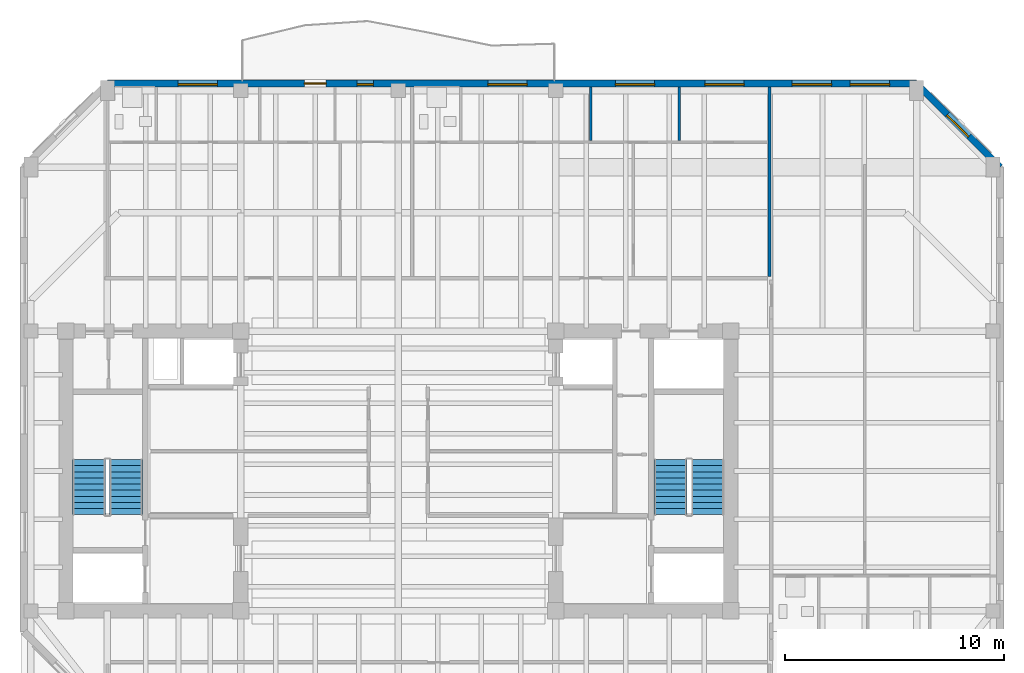
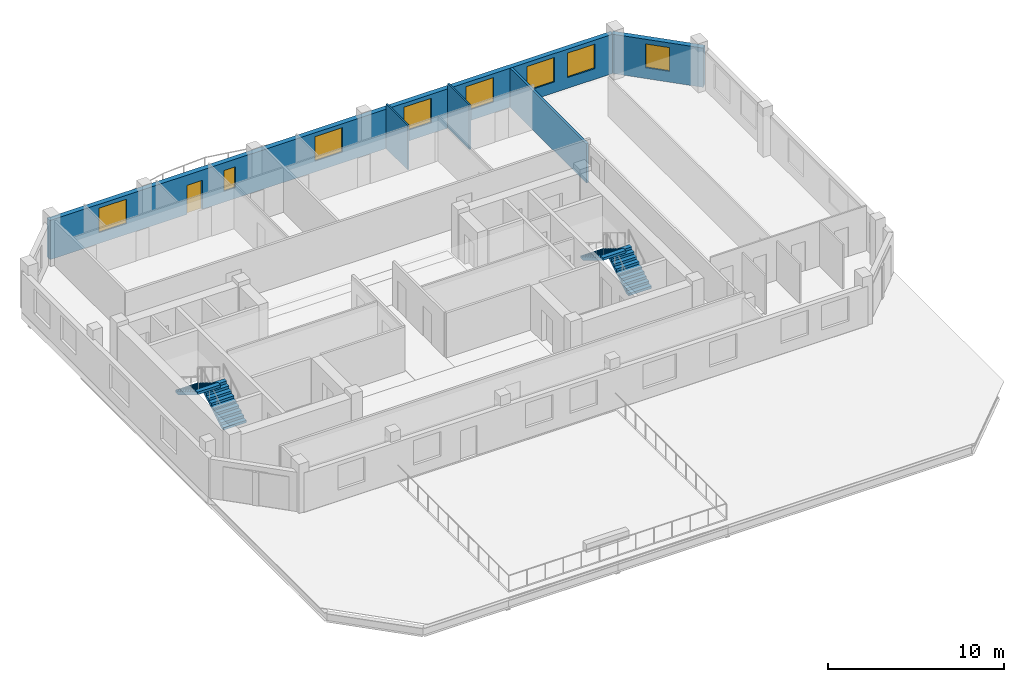
# One storey, part 6 of 10: 8 windows, 5 walls, 4 stair flights, 1 door, 9 openings, 2 elements without a shape of their own.
"""IFC4 building model written with IfcOpenShell, lengths in metres."""

from ifc_helpers import new_model, si_unit, direction, frame, frame_2d, origin, place, context, subcontext, project, spatial, polyline, rectangle, outline, extrude, material, layer, layer_set, type_object, element, fill, aggregate, save


model = new_model("IFC4")

# Units and contexts
model_context = context("Model", 3, precision=1e-05, world=origin(), true_north=direction((0.0, 1.0)))
body_context = subcontext(model_context, "Body", "Model", "MODEL_VIEW")
ifc_project = project(units=[si_unit("LENGTHUNIT", "METRE"), si_unit("AREAUNIT", "SQUARE_METRE"), si_unit("VOLUMEUNIT", "CUBIC_METRE"), si_unit("PLANEANGLEUNIT", "RADIAN"), si_unit("MASSUNIT", "GRAM", prefix="KILO")], contexts=[model_context])

# Site, building, storey
site_placement = place(None, origin())
site = spatial("IfcSite", under=ifc_project, at=site_placement, CompositionType="ELEMENT")
building_placement = place(site_placement, origin())
building = spatial("IfcBuilding", under=site, at=building_placement, Name="Kranthara Brick Stack", CompositionType="ELEMENT")
storey_placement = place(building_placement, frame((0.0, 0.0, 248.300048828125)))
storey = spatial("IfcBuildingStorey", under=building, at=storey_placement, Name="L65", CompositionType="ELEMENT", Elevation=248.300048828125)

# Wall, openings, door, windows
ifc_material_1 = material(Name="Warm buff clay brick masonry M15", Category="masonry")
ifc_layer_1 = layer(ifc_material_1, 0.320068359375)
ifc_layer_set_1 = layer_set([ifc_layer_1], Name="Warm buff clay brick masonry M15")
wall_type_1 = type_object("IfcWallType", Name="WL-BRK-UPPR-320", PredefinedType="STANDARD", material=ifc_layer_set_1)
wall_1_placement = place(storey_placement, frame((14.699951171875, 44.919921875, 0.0), z_axis=(0.0, 0.0, 1.0), x_axis=(1.0, 0.0, 0.0)))
wall_1 = element("IfcWall", 1, at=wall_1_placement, inside=storey, type_object=wall_type_1, Name="L65 Exterior Brick Facade Wall NORTH 1", PredefinedType="STANDARD", context=body_context, shape_type="SweptSolid", body=[
    extrude(rectangle(XDim=37.0, YDim=0.320068359375, at=frame_2d((18.5, 0.0))), origin(), (0.0, 0.0, 1.0), 2.724853515625),
])
opening_1_placement = place(wall_1_placement, frame((9.0, 0.0, 0.0)))
opening_1 = element("IfcOpeningElement", 2, at=opening_1_placement, cuts=wall_1, Name="Opening D03", PredefinedType="OPENING", context=body_context, shape_type="SweptSolid", body=[
    extrude(rectangle(XDim=1.0, YDim=2.02001953125, at=frame_2d((0.5, 1.010009765625))), frame((0.0, 0.169921875, 0.0), z_axis=(0.0, -1.0, 0.0), x_axis=(1.0, 0.0, 0.0)), (0.0, 0.0, 1.0), 0.340087890625),
])
opening_2_placement = place(wall_1_placement, frame((3.22802734375, 0.0, 0.75)))
opening_2 = element("IfcOpeningElement", 3, at=opening_2_placement, cuts=wall_1, Name="Opening WN07", PredefinedType="OPENING", context=body_context, shape_type="SweptSolid", body=[
    extrude(rectangle(XDim=1.800048828125, YDim=1.699951171875, at=frame_2d((0.89990234375, 0.85009765625))), frame((0.0, 0.169921875, 0.0), z_axis=(0.0, -1.0, 0.0), x_axis=(1.0, 0.0, 0.0)), (0.0, 0.0, 1.0), 0.340087890625),
])
opening_3_placement = place(wall_1_placement, frame((17.39208984375, 0.0, 0.75)))
opening_3 = element("IfcOpeningElement", 4, at=opening_3_placement, cuts=wall_1, Name="Opening WN07", PredefinedType="OPENING", context=body_context, shape_type="SweptSolid", body=[
    extrude(rectangle(XDim=1.800048828125, YDim=1.699951171875, at=frame_2d((0.89990234375, 0.85009765625))), frame((0.0, 0.169921875, 0.0), z_axis=(0.0, -1.0, 0.0), x_axis=(1.0, 0.0, 0.0)), (0.0, 0.0, 1.0), 0.340087890625),
])
opening_4_placement = place(wall_1_placement, frame((23.22802734375, 0.0, 0.75)))
opening_4 = element("IfcOpeningElement", 5, at=opening_4_placement, cuts=wall_1, Name="Opening WN07", PredefinedType="OPENING", context=body_context, shape_type="SweptSolid", body=[
    extrude(rectangle(XDim=1.800048828125, YDim=1.699951171875, at=frame_2d((0.89990234375, 0.85009765625))), frame((0.0, 0.169921875, 0.0), z_axis=(0.0, -1.0, 0.0), x_axis=(1.0, 0.0, 0.0)), (0.0, 0.0, 1.0), 0.340087890625),
])
opening_5_placement = place(wall_1_placement, frame((27.31591796875, 0.0, 0.75)))
opening_5 = element("IfcOpeningElement", 6, at=opening_5_placement, cuts=wall_1, Name="Opening WN07", PredefinedType="OPENING", context=body_context, shape_type="SweptSolid", body=[
    extrude(rectangle(XDim=1.800048828125, YDim=1.699951171875, at=frame_2d((0.89990234375, 0.85009765625))), frame((0.0, 0.169921875, 0.0), z_axis=(0.0, -1.0, 0.0), x_axis=(1.0, 0.0, 0.0)), (0.0, 0.0, 1.0), 0.340087890625),
])
opening_6_placement = place(wall_1_placement, frame((31.31494140625, 0.0, 0.75)))
opening_6 = element("IfcOpeningElement", 7, at=opening_6_placement, cuts=wall_1, Name="Opening WN07", PredefinedType="OPENING", context=body_context, shape_type="SweptSolid", body=[
    extrude(rectangle(XDim=1.800048828125, YDim=1.699951171875, at=frame_2d((0.89990234375, 0.85009765625))), frame((0.0, 0.169921875, 0.0), z_axis=(0.0, -1.0, 0.0), x_axis=(1.0, 0.0, 0.0)), (0.0, 0.0, 1.0), 0.340087890625),
])
opening_7_placement = place(wall_1_placement, frame((33.965087890625, 0.0, 0.75)))
opening_7 = element("IfcOpeningElement", 8, at=opening_7_placement, cuts=wall_1, Name="Opening WN07", PredefinedType="OPENING", context=body_context, shape_type="SweptSolid", body=[
    extrude(rectangle(XDim=1.800048828125, YDim=1.699951171875, at=frame_2d((0.89990234375, 0.85009765625))), frame((0.0, 0.169921875, 0.0), z_axis=(0.0, -1.0, 0.0), x_axis=(1.0, 0.0, 0.0)), (0.0, 0.0, 1.0), 0.340087890625),
])
opening_8_placement = place(wall_1_placement, frame((11.416015625, 0.0, 0.75)))
opening_8 = element("IfcOpeningElement", 9, at=opening_8_placement, cuts=wall_1, Name="Opening WN13", PredefinedType="OPENING", context=body_context, shape_type="SweptSolid", body=[
    extrude(rectangle(XDim=0.75, YDim=1.449951171875, at=frame_2d((0.375, 0.72509765625))), frame((0.0, 0.169921875, 0.0), z_axis=(0.0, -1.0, 0.0), x_axis=(1.0, 0.0, 0.0)), (0.0, 0.0, 1.0), 0.340087890625),
])
ifc_material_2 = material(Name="Bronze anodised aluminium and laminated glass", Category="aluminium")
door_type = type_object("IfcDoorType", Name="DR-BALC-1000", OperationType="NOTDEFINED", PredefinedType="DOOR", material=ifc_material_2)
door_placement = place(opening_1_placement, origin())
door = element("IfcDoor", 10, at=door_placement, inside=storey, type_object=door_type, Name="L65 North Balcony Terrace Door", OperationType="SINGLE_SWING_RIGHT", OverallHeight=2.02001953125, OverallWidth=1.0, PredefinedType="DOOR", context=body_context, shape_type="SweptSolid", body=[
    extrude(rectangle(XDim=1.0, YDim=2.02001953125, at=frame_2d((0.5, 1.010009765625))), frame((0.0, 0.02490234375, 0.0), z_axis=(0.0, -1.0, 0.0), x_axis=(1.0, 0.0, 0.0)), (0.0, 0.0, 1.0), 0.050048828125),
])
fill(opening_1, door)
ifc_material_3 = material(Name="Double-glazed low-E solar control glass", Category="glass")
window_type_1 = type_object("IfcWindowType", Name="WN-CAS-750x1450", PartitioningType="SINGLE_PANEL", PredefinedType="WINDOW", material=ifc_material_3)
window_1_placement = place(opening_8_placement, origin())
window_1 = element("IfcWindow", 11, at=window_1_placement, inside=storey, type_object=window_type_1, Name="L65 North Deep-Set Casement Window 07", OverallHeight=1.449951171875, OverallWidth=0.75, PartitioningType="SINGLE_PANEL", PredefinedType="WINDOW", context=body_context, shape_type="SweptSolid", body=[
    extrude(rectangle(XDim=0.75, YDim=1.449951171875, at=frame_2d((0.375, 0.72509765625))), frame((0.0, -0.010009765625, 0.0), z_axis=(0.0, -1.0, 0.0), x_axis=(1.0, 0.0, 0.0)), (0.0, 0.0, 1.0), 0.06005859375),
])
fill(opening_8, window_1)
ifc_material_4 = material(Name="Double-glazed low-E solar control glass", Category="glass")
window_type_2 = type_object("IfcWindowType", Name="WN-RES-1800x1850", PartitioningType="DOUBLE_PANEL_VERTICAL", PredefinedType="WINDOW", material=ifc_material_4)
window_2_placement = place(opening_2_placement, origin())
window_2 = element("IfcWindow", 12, at=window_2_placement, inside=storey, type_object=window_type_2, Name="L65 North Deep-Set Brick Window 01", OverallHeight=1.699951171875, OverallWidth=1.800048828125, PartitioningType="SINGLE_PANEL", PredefinedType="WINDOW", context=body_context, shape_type="SweptSolid", body=[
    extrude(rectangle(XDim=1.800048828125, YDim=1.699951171875, at=frame_2d((0.89990234375, 0.85009765625))), frame((0.0, -0.010009765625, 0.0), z_axis=(0.0, -1.0, 0.0), x_axis=(1.0, 0.0, 0.0)), (0.0, 0.0, 1.0), 0.06005859375),
])
fill(opening_2, window_2)
window_3_placement = place(opening_3_placement, origin())
window_3 = element("IfcWindow", 13, at=window_3_placement, inside=storey, type_object=window_type_2, Name="L65 North Deep-Set Brick Window 02", OverallHeight=1.699951171875, OverallWidth=1.800048828125, PartitioningType="SINGLE_PANEL", PredefinedType="WINDOW", context=body_context, shape_type="SweptSolid", body=[
    extrude(rectangle(XDim=1.800048828125, YDim=1.699951171875, at=frame_2d((0.89990234375, 0.85009765625))), frame((0.0, -0.010009765625, 0.0), z_axis=(0.0, -1.0, 0.0), x_axis=(1.0, 0.0, 0.0)), (0.0, 0.0, 1.0), 0.06005859375),
])
fill(opening_3, window_3)
window_4_placement = place(opening_4_placement, origin())
window_4 = element("IfcWindow", 14, at=window_4_placement, inside=storey, type_object=window_type_2, Name="L65 North Deep-Set Brick Window 03", OverallHeight=1.699951171875, OverallWidth=1.800048828125, PartitioningType="SINGLE_PANEL", PredefinedType="WINDOW", context=body_context, shape_type="SweptSolid", body=[
    extrude(rectangle(XDim=1.800048828125, YDim=1.699951171875, at=frame_2d((0.89990234375, 0.85009765625))), frame((0.0, -0.010009765625, 0.0), z_axis=(0.0, -1.0, 0.0), x_axis=(1.0, 0.0, 0.0)), (0.0, 0.0, 1.0), 0.06005859375),
])
fill(opening_4, window_4)
window_5_placement = place(opening_5_placement, origin())
window_5 = element("IfcWindow", 15, at=window_5_placement, inside=storey, type_object=window_type_2, Name="L65 North Deep-Set Brick Window 04", OverallHeight=1.699951171875, OverallWidth=1.800048828125, PartitioningType="SINGLE_PANEL", PredefinedType="WINDOW", context=body_context, shape_type="SweptSolid", body=[
    extrude(rectangle(XDim=1.800048828125, YDim=1.699951171875, at=frame_2d((0.89990234375, 0.85009765625))), frame((0.0, -0.010009765625, 0.0), z_axis=(0.0, -1.0, 0.0), x_axis=(1.0, 0.0, 0.0)), (0.0, 0.0, 1.0), 0.06005859375),
])
fill(opening_5, window_5)
window_6_placement = place(opening_6_placement, origin())
window_6 = element("IfcWindow", 16, at=window_6_placement, inside=storey, type_object=window_type_2, Name="L65 North Deep-Set Brick Window 05", OverallHeight=1.699951171875, OverallWidth=1.800048828125, PartitioningType="SINGLE_PANEL", PredefinedType="WINDOW", context=body_context, shape_type="SweptSolid", body=[
    extrude(rectangle(XDim=1.800048828125, YDim=1.699951171875, at=frame_2d((0.89990234375, 0.85009765625))), frame((0.0, -0.010009765625, 0.0), z_axis=(0.0, -1.0, 0.0), x_axis=(1.0, 0.0, 0.0)), (0.0, 0.0, 1.0), 0.06005859375),
])
fill(opening_6, window_6)
window_7_placement = place(opening_7_placement, origin())
window_7 = element("IfcWindow", 17, at=window_7_placement, inside=storey, type_object=window_type_2, Name="L65 North Deep-Set Brick Window 06", OverallHeight=1.699951171875, OverallWidth=1.800048828125, PartitioningType="SINGLE_PANEL", PredefinedType="WINDOW", context=body_context, shape_type="SweptSolid", body=[
    extrude(rectangle(XDim=1.800048828125, YDim=1.699951171875, at=frame_2d((0.89990234375, 0.85009765625))), frame((0.0, -0.010009765625, 0.0), z_axis=(0.0, -1.0, 0.0), x_axis=(1.0, 0.0, 0.0)), (0.0, 0.0, 1.0), 0.06005859375),
])
fill(opening_7, window_7)

# Wall, opening, window
wall_2_placement = place(storey_placement, frame((51.699951171875, 44.919921875, 0.0), z_axis=(0.0, 0.0, 1.0), x_axis=(0.70712937715, -0.707084184501, 0.0)))
wall_2 = element("IfcWall", 18, at=wall_2_placement, inside=storey, type_object=wall_type_1, Name="L65 Exterior Brick Facade Wall NE 1", PredefinedType="STANDARD", context=body_context, shape_type="SweptSolid", body=[
    extrude(rectangle(XDim=5.402099609375, YDim=0.320068359375, at=frame_2d((2.701171875, 0.0))), origin(), (0.0, 0.0, 1.0), 2.724853515625),
])
opening_9_placement = place(wall_2_placement, frame((2.0009765625, 0.0, 0.75)))
opening_9 = element("IfcOpeningElement", 19, at=opening_9_placement, cuts=wall_2, Name="Opening WN10", PredefinedType="OPENING", context=body_context, shape_type="SweptSolid", body=[
    extrude(rectangle(XDim=1.39990234375, YDim=1.64990234375, at=frame_2d((0.699951171875, 0.824951171875))), frame((0.0, 0.169921875, 0.0), z_axis=(0.0, -1.0, 0.0), x_axis=(1.0, 0.0, 0.0)), (0.0, 0.0, 1.0), 0.340087890625),
])
ifc_material_5 = material(Name="Double-glazed low-E solar control glass", Category="glass")
window_type_3 = type_object("IfcWindowType", Name="WN-CHM-1400x1750", PartitioningType="SINGLE_PANEL", PredefinedType="WINDOW", material=ifc_material_5)
window_8_placement = place(opening_9_placement, origin())
window_8 = element("IfcWindow", 20, at=window_8_placement, inside=storey, type_object=window_type_3, Name="L65 NE Chamfer Corner Window", OverallHeight=1.64990234375, OverallWidth=1.39990234375, PartitioningType="SINGLE_PANEL", PredefinedType="WINDOW", context=body_context, shape_type="SweptSolid", body=[
    extrude(rectangle(XDim=1.39990234375, YDim=1.64990234375, at=frame_2d((0.699951171875, 0.824951171875))), frame((0.0, -0.010009765625, 0.0), z_axis=(0.0, -1.0, 0.0), x_axis=(1.0, 0.0, 0.0)), (0.0, 0.0, 1.0), 0.06005859375),
])
fill(opening_9, window_8)

# Walls
ifc_material_6 = material(Name="Moisture-resistant wet-room partition", Category="other")
ifc_layer_2 = layer(ifc_material_6, 0.10009765625)
ifc_layer_set_2 = layer_set([ifc_layer_2], Name="Moisture-resistant wet-room partition")
wall_type_2 = type_object("IfcWallType", Name="WL-PART-100", PredefinedType="PARTITIONING", material=ifc_layer_set_2)
for number, where, z_axis, x_axis, name in (
    (21, (36.803955078125, 42.304931640625, 0.0), (0.0, 0.0, 1.0), (0.0, 1.0, 0.0), "L65 Interior Partition 024"),
    (22, (40.85205078125, 42.304931640625, 0.0), (0.0, 0.0, 1.0), (0.0, 1.0, 0.0), "L65 Interior Partition 025"),
):
    element("IfcWall", number, at=place(storey_placement, frame(where, z_axis=z_axis, x_axis=x_axis)), inside=storey, type_object=wall_type_2, Name=name, PredefinedType="PARTITIONING", context=body_context, shape_type="SweptSolid", body=[
        extrude(rectangle(XDim=2.449951171875, YDim=0.10009765625, at=frame_2d((1.22509765625, 0.0))), origin(), (0.0, 0.0, 1.0), 3.099853515625),
    ])
ifc_material_7 = material(Name="Fire-rated gypsum board partition", Category="other")
ifc_layer_3 = layer(ifc_material_7, 0.14990234375)
ifc_layer_set_3 = layer_set([ifc_layer_3], Name="Fire-rated gypsum board partition")
wall_type_3 = type_object("IfcWallType", Name="WL-PART-150", PredefinedType="PARTITIONING", material=ifc_layer_set_3)
wall_3_placement = place(storey_placement, frame((44.97998046875, 36.10009765625, 0.0), z_axis=(0.0, 0.0, 1.0), x_axis=(0.0, 1.0, 0.0)))
element("IfcWall", 23, at=wall_3_placement, inside=storey, type_object=wall_type_3, Name="L65 Interior Partition 026", PredefinedType="PARTITIONING", context=body_context, shape_type="SweptSolid", body=[
    extrude(rectangle(XDim=8.65478515625, YDim=0.14990234375, at=frame_2d((4.327392578125, 0.0))), origin(), (0.0, 0.0, 1.0), 2.724853515625),
])

# Stair, stair flights
ifc_material_8 = material(Name="Concrete C45/55", Category="concrete")
stair_type = type_object("IfcStairType", Name="ST-CORE-20R", PredefinedType="HALF_TURN_STAIR", material=ifc_material_8)
stair_1_placement = place(storey_placement, origin())
stair_1 = element("IfcStair", 24, at=stair_1_placement, inside=storey, type_object=stair_type, Name="L65 West Core Protected Exit Stair ST01", PredefinedType="HALF_TURN_STAIR")
ifc_material_9 = material(Name="Concrete C45/55", Category="concrete")
stair_flight_type = type_object("IfcStairFlightType", Name="SFL-RC-20R", PredefinedType="STRAIGHT", material=ifc_material_9)
stair_flight_1_placement = place(storey_placement, frame((15.550048828125, 25.199951171875, 0.0), z_axis=(0.0, 0.0, 1.0), x_axis=(0.0, 1.0, 0.0)))
stair_flight_1 = element("IfcStairFlight", 25, at=stair_flight_1_placement, type_object=stair_flight_type, Name="ST01 flight 1", NumberOfRisers=10, NumberOfTreads=9, PredefinedType="STRAIGHT", RiserHeight=0.17, TreadLength=0.28, context=body_context, shape_type="SweptSolid", body=[
    extrude(outline(polyline([(0.0, 0.0), (0.0, 0.169921875), (0.280029296875, 0.169921875), (0.280029296875, 0.340087890625), (0.56005859375, 0.340087890625), (0.56005859375, 0.510009765625), (0.840087890625, 0.510009765625), (0.840087890625, 0.679931640625), (1.1201171875, 0.679931640625), (1.1201171875, 0.85009765625), (1.39990234375, 0.85009765625), (1.39990234375, 1.02001953125), (1.679931640625, 1.02001953125), (1.679931640625, 1.18994140625), (1.9599609375, 1.18994140625), (1.9599609375, 1.360107421875), (2.239990234375, 1.360107421875), (2.239990234375, 1.530029296875), (2.52001953125, 1.530029296875), (2.52001953125, 1.699951171875), (2.52001953125, 1.354736328125), (0.288818359375, 0.0), (0.0, 0.0)])), frame((0.0, 0.75, 0.0), z_axis=(0.0, -1.0, 0.0), x_axis=(1.0, 0.0, 0.0)), (0.0, 0.0, 1.0), 1.5),
])
stair_flight_2_placement = place(storey_placement, frame((13.85009765625, 27.719970703125, 1.699951171875), z_axis=(0.0, 0.0, 1.0), x_axis=(0.0, -1.0, 0.0)))
stair_flight_2 = element("IfcStairFlight", 26, at=stair_flight_2_placement, type_object=stair_flight_type, Name="ST01 flight 2", NumberOfRisers=10, NumberOfTreads=9, PredefinedType="STRAIGHT", RiserHeight=0.17, TreadLength=0.28, context=body_context, shape_type="SweptSolid", body=[
    extrude(outline(polyline([(0.0, 0.0), (0.0, 0.169921875), (0.280029296875, 0.169921875), (0.280029296875, 0.340087890625), (0.56005859375, 0.340087890625), (0.56005859375, 0.510009765625), (0.840087890625, 0.510009765625), (0.840087890625, 0.679931640625), (1.1201171875, 0.679931640625), (1.1201171875, 0.85009765625), (1.39990234375, 0.85009765625), (1.39990234375, 1.02001953125), (1.679931640625, 1.02001953125), (1.679931640625, 1.18994140625), (1.9599609375, 1.18994140625), (1.9599609375, 1.360107421875), (2.239990234375, 1.360107421875), (2.239990234375, 1.530029296875), (2.52001953125, 1.530029296875), (2.52001953125, 1.699951171875), (2.52001953125, 1.354736328125), (0.288818359375, 0.0), (0.0, 0.0)])), frame((0.0, 0.75, 0.0), z_axis=(0.0, -1.0, 0.0), x_axis=(1.0, 0.0, 0.0)), (0.0, 0.0, 1.0), 1.5),
])
aggregate(stair_1, [stair_flight_1, stair_flight_2])

stair_2_placement = place(storey_placement, origin())
stair_2 = element("IfcStair", 27, at=stair_2_placement, inside=storey, type_object=stair_type, Name="L65 East Core Protected Exit Stair ST02", PredefinedType="HALF_TURN_STAIR")
stair_flight_3_placement = place(storey_placement, frame((42.14990234375, 25.199951171875, 0.0), z_axis=(0.0, 0.0, 1.0), x_axis=(0.0, 1.0, 0.0)))
stair_flight_3 = element("IfcStairFlight", 28, at=stair_flight_3_placement, type_object=stair_flight_type, Name="ST02 flight 1", NumberOfRisers=10, NumberOfTreads=9, PredefinedType="STRAIGHT", RiserHeight=0.17, TreadLength=0.28, context=body_context, shape_type="SweptSolid", body=[
    extrude(outline(polyline([(0.0, 0.0), (0.0, 0.169921875), (0.280029296875, 0.169921875), (0.280029296875, 0.340087890625), (0.56005859375, 0.340087890625), (0.56005859375, 0.510009765625), (0.840087890625, 0.510009765625), (0.840087890625, 0.679931640625), (1.1201171875, 0.679931640625), (1.1201171875, 0.85009765625), (1.39990234375, 0.85009765625), (1.39990234375, 1.02001953125), (1.679931640625, 1.02001953125), (1.679931640625, 1.18994140625), (1.9599609375, 1.18994140625), (1.9599609375, 1.360107421875), (2.239990234375, 1.360107421875), (2.239990234375, 1.530029296875), (2.52001953125, 1.530029296875), (2.52001953125, 1.699951171875), (2.52001953125, 1.354736328125), (0.288818359375, 0.0), (0.0, 0.0)])), frame((0.0, 0.75, 0.0), z_axis=(0.0, -1.0, 0.0), x_axis=(1.0, 0.0, 0.0)), (0.0, 0.0, 1.0), 1.5),
])
stair_flight_4_placement = place(storey_placement, frame((40.449951171875, 27.719970703125, 1.699951171875), z_axis=(0.0, 0.0, 1.0), x_axis=(0.0, -1.0, 0.0)))
stair_flight_4 = element("IfcStairFlight", 29, at=stair_flight_4_placement, type_object=stair_flight_type, Name="ST02 flight 2", NumberOfRisers=10, NumberOfTreads=9, PredefinedType="STRAIGHT", RiserHeight=0.17, TreadLength=0.28, context=body_context, shape_type="SweptSolid", body=[
    extrude(outline(polyline([(0.0, 0.0), (0.0, 0.169921875), (0.280029296875, 0.169921875), (0.280029296875, 0.340087890625), (0.56005859375, 0.340087890625), (0.56005859375, 0.510009765625), (0.840087890625, 0.510009765625), (0.840087890625, 0.679931640625), (1.1201171875, 0.679931640625), (1.1201171875, 0.85009765625), (1.39990234375, 0.85009765625), (1.39990234375, 1.02001953125), (1.679931640625, 1.02001953125), (1.679931640625, 1.18994140625), (1.9599609375, 1.18994140625), (1.9599609375, 1.360107421875), (2.239990234375, 1.360107421875), (2.239990234375, 1.530029296875), (2.52001953125, 1.530029296875), (2.52001953125, 1.699951171875), (2.52001953125, 1.354736328125), (0.288818359375, 0.0), (0.0, 0.0)])), frame((0.0, 0.75, 0.0), z_axis=(0.0, -1.0, 0.0), x_axis=(1.0, 0.0, 0.0)), (0.0, 0.0, 1.0), 1.5),
])
aggregate(stair_2, [stair_flight_3, stair_flight_4])

save(model, "model.ifc")
